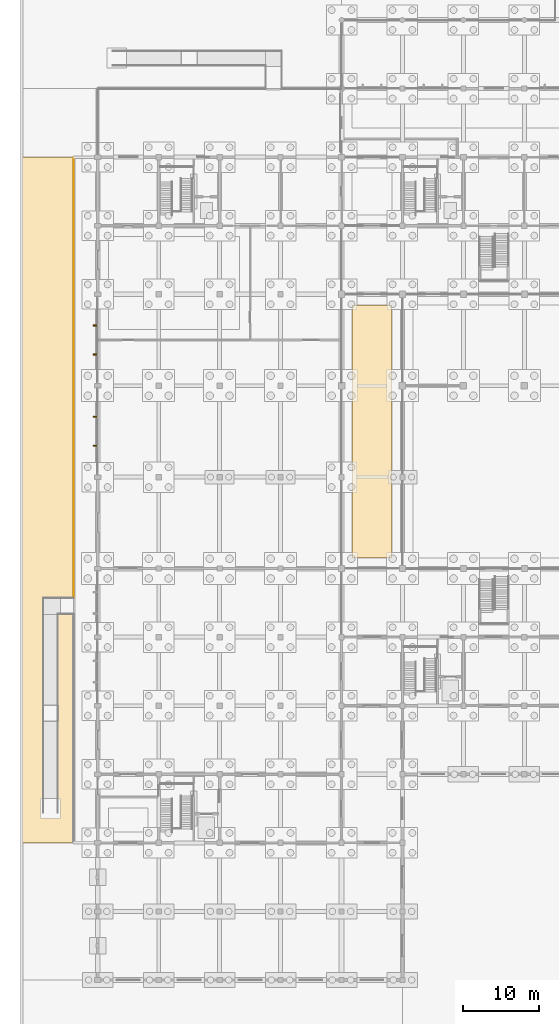
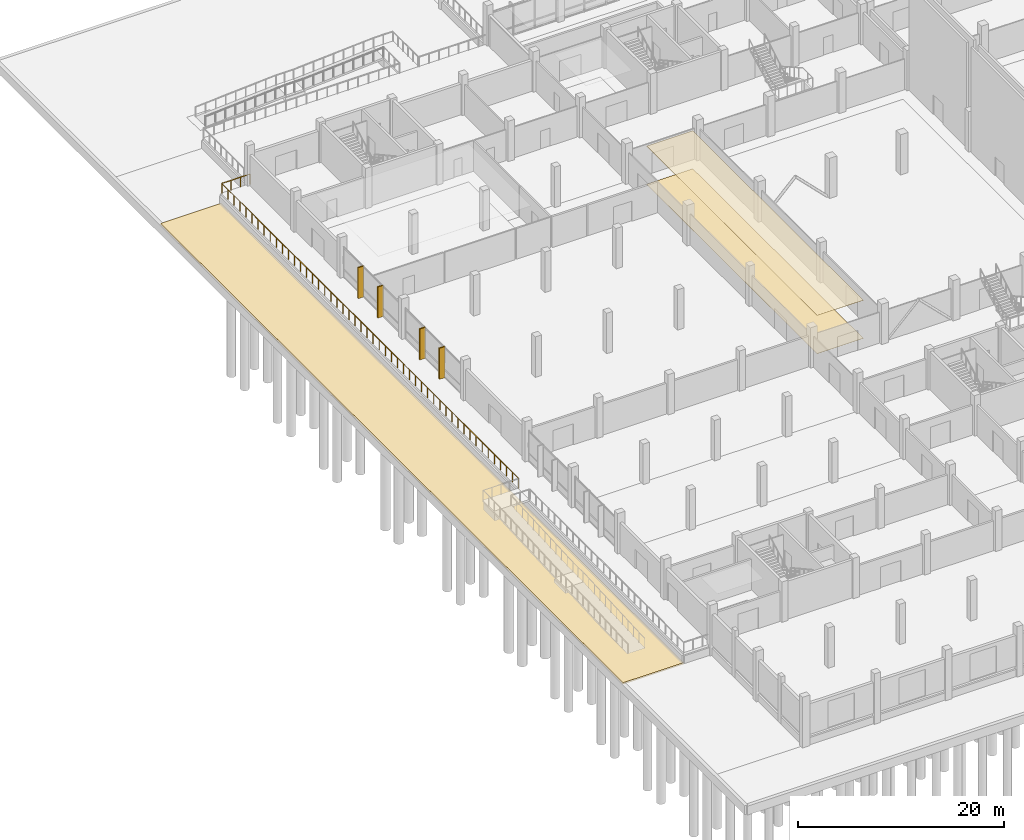
# One storey, part 63 of 72: 4 shading devices, 3 coverings, 1 railing.
"""IFC4 building model written with IfcOpenShell, lengths in metres."""

from ifc_helpers import new_model, si_unit, direction, frame, origin, origin_2d, place, context, subcontext, project, spatial, polyline, rectangle, circle, outline, extrude, material, layer, layer_set, type_object, element, save


model = new_model("IFC4")

# Units and contexts
model_context = context("Model", 3, precision=1e-05, world=origin(), true_north=direction((0.0, 1.0)))
body_context = subcontext(model_context, "Body", "Model", "MODEL_VIEW")
ifc_project = project(units=[si_unit("LENGTHUNIT", "METRE"), si_unit("AREAUNIT", "SQUARE_METRE"), si_unit("VOLUMEUNIT", "CUBIC_METRE"), si_unit("PLANEANGLEUNIT", "RADIAN"), si_unit("MASSUNIT", "GRAM", prefix="KILO"), si_unit("THERMODYNAMICTEMPERATUREUNIT", "KELVIN"), si_unit("POWERUNIT", "WATT")], contexts=[model_context])

# Site, building, storey
site_placement = place(None, origin())
site = spatial("IfcSite", under=ifc_project, at=site_placement, CompositionType="ELEMENT")
building_placement = place(site_placement, origin())
building = spatial("IfcBuilding", under=site, at=building_placement, Name="Kronsvod Quay Wholesale Market", CompositionType="ELEMENT")
storey_placement = place(building_placement, origin())
storey = spatial("IfcBuildingStorey", under=building, at=storey_placement, Name="L00", CompositionType="ELEMENT", Elevation=0.0)

# Coverings
ifc_material_1 = material(Name="Moisture-resistant gypsum board ceiling")
ifc_layer_1 = layer(ifc_material_1, 0.02490234375)
ifc_layer_set_1 = layer_set([ifc_layer_1], Name="Moisture-resistant gypsum board ceiling")
covering_type_1 = type_object("IfcCoveringType", Name="Cov_Ceil03", PredefinedType="CEILING", material=ifc_layer_set_1)
covering_1_placement = place(storey_placement, frame((0.0, 0.0, 4.52490234375)))
element("IfcCovering", 1, at=covering_1_placement, inside=storey, type_object=covering_type_1, Name="CLG-SP-L00-V1-03A", PredefinedType="CEILING", context=body_context, shape_type="SweptSolid", body=[
    extrude(outline(polyline([(33.39990234375, 55.39990234375), (38.60009765625, 55.39990234375), (38.60009765625, 88.60009765625), (33.39990234375, 88.60009765625), (33.39990234375, 55.39990234375)])), origin(), (0.0, 0.0, 1.0), 0.025146484375),
])
ifc_material_2 = material(Name="Heavy-duty polyurethane resin market screed")
ifc_layer_2 = layer(ifc_material_2, 0.02001953125)
ifc_layer_set_2 = layer_set([ifc_layer_2], Name="Heavy-duty polyurethane resin market screed")
covering_type_2 = type_object("IfcCoveringType", Name="Cov_Floor01", PredefinedType="FLOORING", material=ifc_layer_set_2)
covering_2_placement = place(storey_placement, origin())
element("IfcCovering", 2, at=covering_2_placement, inside=storey, type_object=covering_type_2, Name="FLR-SP-L00-V1-03A", PredefinedType="FLOORING", context=body_context, shape_type="SweptSolid", body=[
    extrude(outline(polyline([(33.39990234375, 55.39990234375), (38.60009765625, 55.39990234375), (38.60009765625, 88.60009765625), (33.39990234375, 88.60009765625), (33.39990234375, 55.39990234375)])), origin(), (0.0, 0.0, 1.0), 0.02001953125),
])
ifc_material_3 = material(Name="Natural granite harbour quay paving", Category="masonry")
ifc_layer_3 = layer(ifc_material_3, 0.179931640625)
ifc_layer_set_3 = layer_set([ifc_layer_3], Name="Natural granite harbour quay paving")
covering_type_3 = type_object("IfcCoveringType", Name="Cov_SitePaving160", PredefinedType="USERDEFINED", material=ifc_layer_set_3)
covering_3_placement = place(storey_placement, frame((0.0, 0.0, -1.3798828125)))
element("IfcCovering", 3, at=covering_3_placement, inside=storey, type_object=covering_type_3, Name="PAV-APR-W1", ObjectType="PAVING", PredefinedType="USERDEFINED", context=body_context, shape_type="SweptSolid", body=[
    extrude(outline(polyline([(-10.0, 18.0), (-3.199951171875, 18.0), (-3.199951171875, 108.0), (-10.0, 108.0), (-10.0, 18.0)])), origin(), (0.0, 0.0, 1.0), 0.179931640625),
])

# Railing
ifc_material_4 = material(Name="Stainless steel", Category="steel")
railing_type = type_object("IfcRailingType", Name="Railing_Guard1200", PredefinedType="GUARDRAIL", material=ifc_material_4)
railing_placement = place(storey_placement, frame((-3.14990234375, 50.199951171875, 0.0)))
element("IfcRailing", 4, at=railing_placement, inside=storey, type_object=railing_type, Name="GRD-L00-W2", PredefinedType="GUARDRAIL", context=body_context, shape_type="SweptSolid", body=[
    extrude(circle(Radius=0.02392578125, at=origin_2d()), frame((0.0, 0.0, 1.17578125), z_axis=(0.0, 1.0, 0.0), x_axis=(-1.0, 0.0, 0.0)), (0.0, 0.0, 1.0), 57.75),
    extrude(circle(Radius=0.02392578125, at=origin_2d()), frame((0.0, 57.75, 1.17578125), z_axis=(1.0, 0.0, 0.0), x_axis=(0.0, 1.0, 0.0)), (0.0, 0.0, 1.0), 3.14990234375),
    extrude(circle(Radius=0.02099609375, at=origin_2d()), origin(), (0.0, 0.0, 1.0), 1.15185546875),
    extrude(circle(Radius=0.02099609375, at=origin_2d()), frame((0.0, 1.178466796875, 0.0)), (0.0, 0.0, 1.0), 1.15185546875),
    extrude(circle(Radius=0.02099609375, at=origin_2d()), frame((0.0, 2.357177734375, 0.0)), (0.0, 0.0, 1.0), 1.15185546875),
    extrude(circle(Radius=0.02099609375, at=origin_2d()), frame((0.0, 3.53564453125, 0.0)), (0.0, 0.0, 1.0), 1.15185546875),
    extrude(circle(Radius=0.02099609375, at=origin_2d()), frame((0.0, 4.71435546875, 0.0)), (0.0, 0.0, 1.0), 1.15185546875),
    extrude(circle(Radius=0.02099609375, at=origin_2d()), frame((0.0, 5.892822265625, 0.0)), (0.0, 0.0, 1.0), 1.15185546875),
    extrude(circle(Radius=0.02099609375, at=origin_2d()), frame((0.0, 7.071533203125, 0.0)), (0.0, 0.0, 1.0), 1.15185546875),
    extrude(circle(Radius=0.02099609375, at=origin_2d()), frame((0.0, 8.25, 0.0)), (0.0, 0.0, 1.0), 1.15185546875),
    extrude(circle(Radius=0.02099609375, at=origin_2d()), frame((0.0, 9.428466796875, 0.0)), (0.0, 0.0, 1.0), 1.15185546875),
    extrude(circle(Radius=0.02099609375, at=origin_2d()), frame((0.0, 10.607177734375, 0.0)), (0.0, 0.0, 1.0), 1.15185546875),
    extrude(circle(Radius=0.02099609375, at=origin_2d()), frame((0.0, 11.78564453125, 0.0)), (0.0, 0.0, 1.0), 1.15185546875),
    extrude(circle(Radius=0.02099609375, at=origin_2d()), frame((0.0, 12.96435546875, 0.0)), (0.0, 0.0, 1.0), 1.15185546875),
    extrude(circle(Radius=0.02099609375, at=origin_2d()), frame((0.0, 14.142822265625, 0.0)), (0.0, 0.0, 1.0), 1.15185546875),
    extrude(circle(Radius=0.02099609375, at=origin_2d()), frame((0.0, 15.321533203125, 0.0)), (0.0, 0.0, 1.0), 1.15185546875),
    extrude(circle(Radius=0.02099609375, at=origin_2d()), frame((0.0, 16.5, 0.0)), (0.0, 0.0, 1.0), 1.15185546875),
    extrude(circle(Radius=0.02099609375, at=origin_2d()), frame((0.0, 17.678466796875, 0.0)), (0.0, 0.0, 1.0), 1.15185546875),
    extrude(circle(Radius=0.02099609375, at=origin_2d()), frame((0.0, 18.857177734375, 0.0)), (0.0, 0.0, 1.0), 1.15185546875),
    extrude(circle(Radius=0.02099609375, at=origin_2d()), frame((0.0, 20.03564453125, 0.0)), (0.0, 0.0, 1.0), 1.15185546875),
    extrude(circle(Radius=0.02099609375, at=origin_2d()), frame((0.0, 21.21435546875, 0.0)), (0.0, 0.0, 1.0), 1.15185546875),
    extrude(circle(Radius=0.02099609375, at=origin_2d()), frame((0.0, 22.392822265625, 0.0)), (0.0, 0.0, 1.0), 1.15185546875),
    extrude(circle(Radius=0.02099609375, at=origin_2d()), frame((0.0, 23.571533203125, 0.0)), (0.0, 0.0, 1.0), 1.15185546875),
    extrude(circle(Radius=0.02099609375, at=origin_2d()), frame((0.0, 24.75, 0.0)), (0.0, 0.0, 1.0), 1.15185546875),
    extrude(circle(Radius=0.02099609375, at=origin_2d()), frame((0.0, 25.928466796875, 0.0)), (0.0, 0.0, 1.0), 1.15185546875),
    extrude(circle(Radius=0.02099609375, at=origin_2d()), frame((0.0, 27.107177734375, 0.0)), (0.0, 0.0, 1.0), 1.15185546875),
    extrude(circle(Radius=0.02099609375, at=origin_2d()), frame((0.0, 28.28564453125, 0.0)), (0.0, 0.0, 1.0), 1.15185546875),
    extrude(circle(Radius=0.02099609375, at=origin_2d()), frame((0.0, 29.46435546875, 0.0)), (0.0, 0.0, 1.0), 1.15185546875),
    extrude(circle(Radius=0.02099609375, at=origin_2d()), frame((0.0, 30.642822265625, 0.0)), (0.0, 0.0, 1.0), 1.15185546875),
    extrude(circle(Radius=0.02099609375, at=origin_2d()), frame((0.0, 31.821533203125, 0.0)), (0.0, 0.0, 1.0), 1.15185546875),
    extrude(circle(Radius=0.02099609375, at=origin_2d()), frame((0.0, 33.0, 0.0)), (0.0, 0.0, 1.0), 1.15185546875),
    extrude(circle(Radius=0.02099609375, at=origin_2d()), frame((0.0, 34.178466796875, 0.0)), (0.0, 0.0, 1.0), 1.15185546875),
    extrude(circle(Radius=0.02099609375, at=origin_2d()), frame((0.0, 35.357177734375, 0.0)), (0.0, 0.0, 1.0), 1.15185546875),
    extrude(circle(Radius=0.02099609375, at=origin_2d()), frame((0.0, 36.53564453125, 0.0)), (0.0, 0.0, 1.0), 1.15185546875),
    extrude(circle(Radius=0.02099609375, at=origin_2d()), frame((0.0, 37.71435546875, 0.0)), (0.0, 0.0, 1.0), 1.15185546875),
    extrude(circle(Radius=0.02099609375, at=origin_2d()), frame((0.0, 38.892822265625, 0.0)), (0.0, 0.0, 1.0), 1.15185546875),
    extrude(circle(Radius=0.02099609375, at=origin_2d()), frame((0.0, 40.071533203125, 0.0)), (0.0, 0.0, 1.0), 1.15185546875),
    extrude(circle(Radius=0.02099609375, at=origin_2d()), frame((0.0, 41.25, 0.0)), (0.0, 0.0, 1.0), 1.15185546875),
    extrude(circle(Radius=0.02099609375, at=origin_2d()), frame((0.0, 42.428466796875, 0.0)), (0.0, 0.0, 1.0), 1.15185546875),
    extrude(circle(Radius=0.02099609375, at=origin_2d()), frame((0.0, 43.607177734375, 0.0)), (0.0, 0.0, 1.0), 1.15185546875),
    extrude(circle(Radius=0.02099609375, at=origin_2d()), frame((0.0, 44.78564453125, 0.0)), (0.0, 0.0, 1.0), 1.15185546875),
    extrude(circle(Radius=0.02099609375, at=origin_2d()), frame((0.0, 45.96435546875, 0.0)), (0.0, 0.0, 1.0), 1.15185546875),
    extrude(circle(Radius=0.02099609375, at=origin_2d()), frame((0.0, 47.142822265625, 0.0)), (0.0, 0.0, 1.0), 1.15185546875),
    extrude(circle(Radius=0.02099609375, at=origin_2d()), frame((0.0, 48.321533203125, 0.0)), (0.0, 0.0, 1.0), 1.15185546875),
    extrude(circle(Radius=0.02099609375, at=origin_2d()), frame((0.0, 49.5, 0.0)), (0.0, 0.0, 1.0), 1.15185546875),
    extrude(circle(Radius=0.02099609375, at=origin_2d()), frame((0.0, 50.678466796875, 0.0)), (0.0, 0.0, 1.0), 1.15185546875),
    extrude(circle(Radius=0.02099609375, at=origin_2d()), frame((0.0, 51.857177734375, 0.0)), (0.0, 0.0, 1.0), 1.15185546875),
    extrude(circle(Radius=0.02099609375, at=origin_2d()), frame((0.0, 53.03564453125, 0.0)), (0.0, 0.0, 1.0), 1.15185546875),
    extrude(circle(Radius=0.02099609375, at=origin_2d()), frame((0.0, 54.21435546875, 0.0)), (0.0, 0.0, 1.0), 1.15185546875),
    extrude(circle(Radius=0.02099609375, at=origin_2d()), frame((0.0, 55.392822265625, 0.0)), (0.0, 0.0, 1.0), 1.15185546875),
    extrude(circle(Radius=0.02099609375, at=origin_2d()), frame((0.0, 56.571533203125, 0.0)), (0.0, 0.0, 1.0), 1.15185546875),
    extrude(circle(Radius=0.02099609375, at=origin_2d()), frame((0.0, 57.75, 0.0)), (0.0, 0.0, 1.0), 1.15185546875),
    extrude(circle(Radius=0.02099609375, at=origin_2d()), frame((1.050048828125, 57.75, 0.0)), (0.0, 0.0, 1.0), 1.15185546875),
    extrude(circle(Radius=0.02099609375, at=origin_2d()), frame((2.099853515625, 57.75, 0.0)), (0.0, 0.0, 1.0), 1.15185546875),
    extrude(circle(Radius=0.02099609375, at=origin_2d()), frame((3.14990234375, 57.75, 0.0)), (0.0, 0.0, 1.0), 1.15185546875),
])

# Shading devices
ifc_material_5 = material(Name="Anodised aluminium", Category="aluminium")
shading_device_type = type_object("IfcShadingDeviceType", Name="Shade_SolarFin", PredefinedType="AWNING", material=ifc_material_5)
for number, where, z_axis, x_axis, name in (
    (5, (-0.280029296875, 70.098388671875, -0.02001953125), (0.0, 0.0, 1.0), (1.0, 0.0, 0.0), "SHDF-CWGY-L00-0-660-701"),
    (6, (-0.280029296875, 73.901611328125, -0.02001953125), (0.0, 0.0, 1.0), (1.0, 0.0, 0.0), "SHDF-CWGY-L00-0-660-739"),
    (7, (-0.280029296875, 82.098388671875, -0.02001953125), (0.0, 0.0, 1.0), (1.0, 0.0, 0.0), "SHDF-CWGY-L00-0-780-821"),
    (8, (-0.280029296875, 85.901611328125, -0.02001953125), (0.0, 0.0, 1.0), (1.0, 0.0, 0.0), "SHDF-CWGY-L00-0-780-859"),
):
    element("IfcShadingDevice", number, at=place(storey_placement, frame(where, z_axis=z_axis, x_axis=x_axis)), inside=storey, type_object=shading_device_type, Name=name, PredefinedType="AWNING", context=body_context, shape_type="SweptSolid", body=[
        extrude(rectangle(XDim=0.6201171875, YDim=0.139892578125, at=origin_2d()), origin(), (0.0, 0.0, 1.0), 3.68994140625),
    ])

save(model, "model.ifc")
